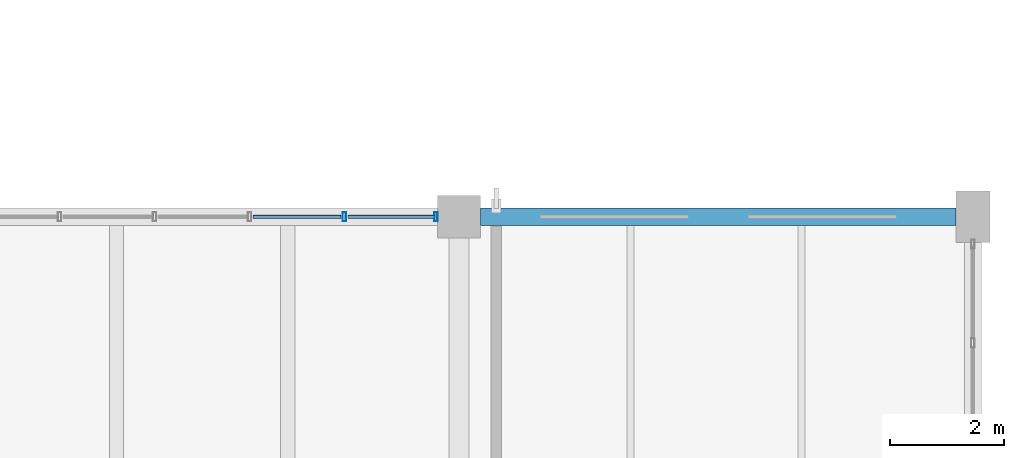
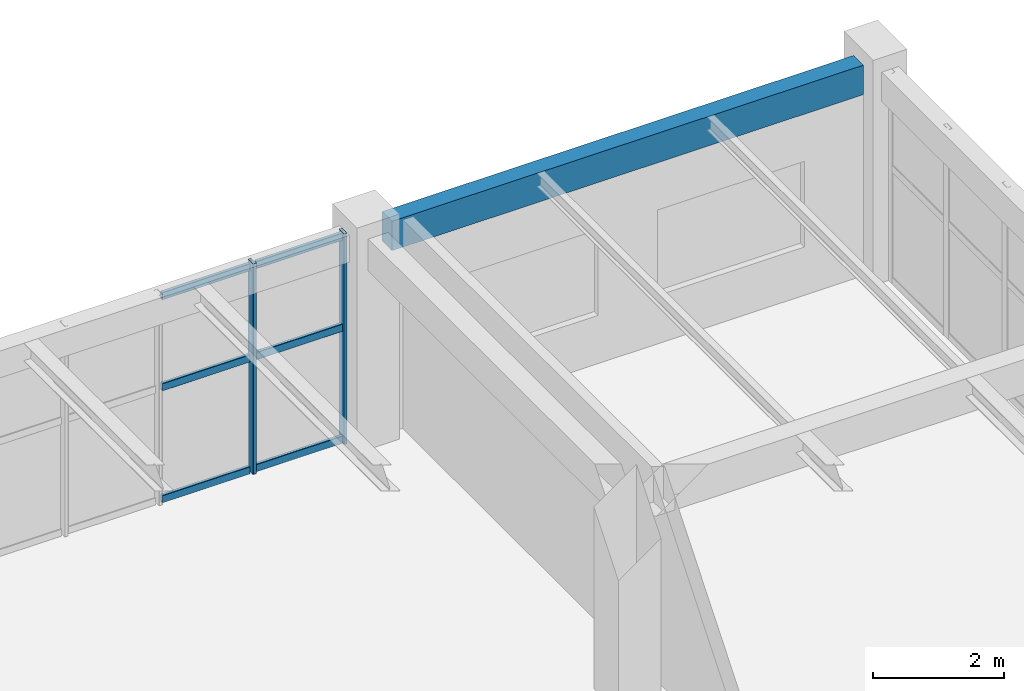
# One storey, part 99 of 128: 8 members, 1 beam, 1 element without a shape of its own.
"""IFC4 building model written with IfcOpenShell, lengths in metres."""

import ifcopenshell
import ifcopenshell.guid

model = None  # the IFC model being written
_history = None  # IfcOwnerHistory: only IFC2X3 demands one
_inside = {}  # id of a spatial element -> (the spatial element, [elements in it])
_under = {}  # id of a project, library or spatial element -> (it, [spatial elements below it])
_declared = {}  # id of a project -> (the project, [libraries it declares])
_typed = {}  # id of a type object -> (the type object, [elements of that type])
_made_of = {}  # id of a material, layer set ... -> (it, [elements and type objects made of it])


def new_model(schema):
    """Start an empty IFC model of exactly this schema.

    Asked for "IFC4X3", IfcOpenShell would pick the latest addendum, in which some entities
    have other attributes; the version numbers below select the first issue.
    IFC2X3 requires an IfcOwnerHistory on every rooted entity: one is made here for all.
    """
    global model, _history
    if schema == "IFC4X3":
        model = ifcopenshell.file(schema_version=(4, 3, 0, 0))
    else:
        model = ifcopenshell.file(schema=schema)
    _inside.clear()
    _under.clear()
    _declared.clear()
    _typed.clear()
    _made_of.clear()
    _history = None
    if model.schema == "IFC2X3":
        org = make("IfcOrganization", Name="unknown")
        user = make(
            "IfcPersonAndOrganization",
            ThePerson=make("IfcPerson", FamilyName="unknown"),
            TheOrganization=org,
        )
        app = make(
            "IfcApplication",
            ApplicationDeveloper=org,
            Version="unknown",
            ApplicationFullName="unknown",
            ApplicationIdentifier="unknown",
        )
        _history = make(
            "IfcOwnerHistory",
            OwningUser=user,
            OwningApplication=app,
            ChangeAction="ADDED",
            CreationDate=0,
        )
    return model


def make(cls, **values):
    """One entity of the class cls with the attributes given. An attribute that is None is left unset."""
    return model.create_entity(
        cls, **{name: value for name, value in values.items() if value is not None}
    )


def rooted(cls, **values):
    """An entity with a GlobalId (a new one), such as an element, a storey or a relation."""
    return make(cls, GlobalId=ifcopenshell.guid.new(), OwnerHistory=_history, **values)


def si_unit(unit_type, name, prefix=None):
    """IfcSIUnit, for example si_unit("LENGTHUNIT", "METRE", prefix="MILLI")."""
    return make("IfcSIUnit", UnitType=unit_type, Prefix=prefix, Name=name)


def derived_unit(unit_type, elements):
    """IfcDerivedUnit: a product of units, each with its exponent."""
    return make(
        "IfcDerivedUnit",
        Elements=[
            make("IfcDerivedUnitElement", Unit=unit, Exponent=power)
            for unit, power in elements
        ],
        UnitType=unit_type,
    )


def assignment(units):
    """IfcUnitAssignment: the units of a project."""
    return None if units is None else make("IfcUnitAssignment", Units=units)


def point(xyz):
    """IfcCartesianPoint."""
    return None if xyz is None else make("IfcCartesianPoint", Coordinates=xyz)


def direction(xyz):
    """IfcDirection."""
    return None if xyz is None else make("IfcDirection", DirectionRatios=xyz)


def frame(location, z_axis=None, x_axis=None):
    """IfcAxis2Placement3D, a coordinate frame: its origin and axes. An axis left out is left unset."""
    return make(
        "IfcAxis2Placement3D",
        Location=point(location),
        Axis=direction(z_axis),
        RefDirection=direction(x_axis),
    )


def frame_2d(location, x_axis=None):
    """IfcAxis2Placement2D, a coordinate frame in the plane: its origin and x axis."""
    return make(
        "IfcAxis2Placement2D", Location=point(location), RefDirection=direction(x_axis)
    )


def origin():
    """The frame at (0, 0, 0) with its axes left unset."""
    return frame((0.0, 0.0, 0.0))


def origin_2d():
    """The frame at (0, 0) in the plane with its x axis left unset."""
    return frame_2d((0.0, 0.0))


def place(relative_to, where):
    """IfcLocalPlacement: puts the frame where relative to a parent placement (None: the world)."""
    return make(
        "IfcLocalPlacement", PlacementRelTo=relative_to, RelativePlacement=where
    )


def context(
    kind, dimensions, precision=None, world=None, true_north=None, identifier=None
):
    """IfcGeometricRepresentationContext, for example the 3D "Model" context."""
    return make(
        "IfcGeometricRepresentationContext",
        ContextIdentifier=identifier,
        ContextType=kind,
        CoordinateSpaceDimension=dimensions,
        Precision=precision,
        WorldCoordinateSystem=world,
        TrueNorth=true_north,
    )


def subcontext(parent, identifier, kind, view, scale=None):
    """IfcGeometricRepresentationSubContext, for example "Body" below "Model"."""
    return make(
        "IfcGeometricRepresentationSubContext",
        ContextIdentifier=identifier,
        ContextType=kind,
        ParentContext=parent,
        TargetScale=scale,
        TargetView=view,
    )


def project(units=None, contexts=None):
    """IfcProject with its units and contexts."""
    return rooted(
        "IfcProject",
        Name="project",
        RepresentationContexts=contexts,
        UnitsInContext=assignment(units),
    )


def spatial(cls, under=None, at=None, **own):
    """A site, building, storey or space (cls), placed at a placement, below another one or the project."""
    s = rooted(cls, ObjectPlacement=at, **own)
    if under is not None:
        _under.setdefault(under.id(), (under, []))[1].append(s)
    return s


def profile(cls, at=None, kind="AREA", **sizes):
    """A parametric profile (cls). Its sizes go by their IFC names, for example OverallWidth=200.0."""
    return make(cls, ProfileType=kind, Position=at, **sizes)


def rectangle(**sizes):
    """IfcRectangleProfileDef."""
    return profile("IfcRectangleProfileDef", **sizes)


def hollow_rectangle(**sizes):
    """IfcRectangleHollowProfileDef."""
    return profile("IfcRectangleHollowProfileDef", **sizes)


def extrude(swept, where, along, depth):
    """IfcExtrudedAreaSolid: the profile swept, set in the frame where, extruded along a direction by depth."""
    return make(
        "IfcExtrudedAreaSolid",
        SweptArea=swept,
        Position=where,
        ExtrudedDirection=direction(along),
        Depth=depth,
    )


def shape(context_of_items, identifier, shape_type, items):
    """IfcShapeRepresentation: the items that make up one representation, for example the "Body"."""
    return make(
        "IfcShapeRepresentation",
        ContextOfItems=context_of_items,
        RepresentationIdentifier=identifier,
        RepresentationType=shape_type,
        Items=items,
    )


def material(Name=None, Category=None):
    """IfcMaterial."""
    return make("IfcMaterial", Name=Name, Category=Category)


def material_profile(
    of_material, cross_section, Name=None, Category=None, Priority=None
):
    """IfcMaterialProfile: a cross section and its material."""
    return make(
        "IfcMaterialProfile",
        Name=Name,
        Material=of_material,
        Profile=cross_section,
        Priority=Priority,
        Category=Category,
    )


def profile_set(profiles, Name=None, composite=None):
    """IfcMaterialProfileSet."""
    return make(
        "IfcMaterialProfileSet",
        Name=Name,
        MaterialProfiles=profiles,
        CompositeProfile=composite,
    )


def made_of(thing, what):
    """Note that an element or type object is made of a material, layer set ...; save() writes the relation."""
    if what is not None:
        _made_of.setdefault(what.id(), (what, []))[1].append(thing)
    return thing


def type_object(cls, material=None, **own):
    """A type object (cls), such as IfcWallType, which elements share."""
    return made_of(rooted(cls, **own), material)


def element(
    cls,
    number,
    at=None,
    inside=None,
    cuts=None,
    type_object=None,
    material=None,
    context=None,
    identifier="Body",
    shape_type=None,
    held_by="IfcProductDefinitionShape",
    body=None,
    shapes=None,
    **own,
):
    """One element of the class cls, such as IfcWall. Its Tag is "e" and its number.

    at: its placement. inside: the storey or other place that contains it. cuts: it is an
    opening in that element (IfcRelVoidsElement). A single representation is given by context,
    identifier, shape_type and body (its items); several are given by shapes. held_by: the class
    of the entity that holds the representations. save() writes the other relations.
    """
    e = rooted(cls, Tag="e%d" % number, ObjectPlacement=at, **own)
    if body is not None:
        shapes = [shape(context, identifier, shape_type, body)]
    if shapes is not None:
        e.Representation = make(held_by, Representations=shapes)
    if inside is not None:
        _inside.setdefault(inside.id(), (inside, []))[1].append(e)
    if cuts is not None:
        rooted(
            "IfcRelVoidsElement", RelatingBuildingElement=cuts, RelatedOpeningElement=e
        )
    if type_object is not None:
        _typed.setdefault(type_object.id(), (type_object, []))[1].append(e)
    return made_of(e, material)


def aggregate(whole, parts):
    """IfcRelAggregates: a whole, such as a stair, and the parts it consists of."""
    return rooted("IfcRelAggregates", RelatingObject=whole, RelatedObjects=parts)


def save(model, path):
    """Write the relations noted so far, then the file.

    IfcRelAggregates (storeys below a building ...), IfcRelContainedInSpatialStructure (elements
    in a storey), IfcRelDefinesByType, IfcRelAssociatesMaterial and IfcRelDeclares: one each for
    every whole, place, type object, material and project.
    """
    for whole, parts in _under.values():
        aggregate(whole, parts)
    for where, things in _inside.values():
        rooted(
            "IfcRelContainedInSpatialStructure",
            RelatedElements=things,
            RelatingStructure=where,
        )
    for kind, things in _typed.values():
        rooted("IfcRelDefinesByType", RelatedObjects=things, RelatingType=kind)
    for what, things in _made_of.values():
        rooted("IfcRelAssociatesMaterial", RelatedObjects=things, RelatingMaterial=what)
    for by, libraries in _declared.values():
        rooted("IfcRelDeclares", RelatingContext=by, RelatedDefinitions=libraries)
    model.write(path)


model = new_model("IFC4")

# Units and contexts
model_context = context("Model", 3, precision=1e-05, world=origin(), true_north=direction((0.0, 1.0)))
body_context = subcontext(model_context, "Body", "Model", "MODEL_VIEW")
ifc_project = project(units=[si_unit("LENGTHUNIT", "METRE"), si_unit("AREAUNIT", "SQUARE_METRE"), si_unit("VOLUMEUNIT", "CUBIC_METRE"), si_unit("PLANEANGLEUNIT", "RADIAN"), si_unit("MASSUNIT", "GRAM", prefix="KILO"), derived_unit("THERMALTRANSMITTANCEUNIT", [(si_unit("MASSUNIT", "GRAM", prefix="KILO"), 1), (si_unit("TIMEUNIT", "SECOND"), -3), (si_unit("THERMODYNAMICTEMPERATUREUNIT", "KELVIN"), -1)])], contexts=[model_context])

# Site, building, storey
site_placement = place(None, origin())
site = spatial("IfcSite", under=ifc_project, at=site_placement, CompositionType="ELEMENT")
building_placement = place(site_placement, origin())
building = spatial("IfcBuilding", under=site, at=building_placement, Name="Zhenchuan Archway Interchange", CompositionType="ELEMENT")
storey_placement = place(building_placement, frame((0.0, 0.0, 14.39990234375)))
storey = spatial("IfcBuildingStorey", under=building, at=storey_placement, Name="L03", CompositionType="ELEMENT", Elevation=14.39990234375)

# Curtain wall, members
ifc_material_1 = material(Name="Anodised Aluminium", Category="aluminium")
curtain_wall_type = type_object("IfcCurtainWallType", Name="CW_UNIT_2", PredefinedType="NOTDEFINED", material=ifc_material_1)
curtain_wall_placement = place(storey_placement, origin())
curtain_wall = element("IfcCurtainWall", 1, at=curtain_wall_placement, inside=storey, type_object=curtain_wall_type, Name="Unitised curtain wall CW:L03:177", PredefinedType="NOTDEFINED")
ifc_material_profile_1 = material_profile(ifc_material_1, hollow_rectangle(XDim=0.06005859375, YDim=0.159912109375, WallThickness=0.00390625, InnerFilletRadius=0.00390625, OuterFilletRadius=0.008056640625, at=origin_2d()), Name="ALU 160x60x4")
ifc_profile_set_1 = profile_set([ifc_material_profile_1], Name="Anodised Aluminium")
member_type_1 = type_object("IfcMemberType", Name="CW_MUL_150", PredefinedType="MULLION", material=ifc_profile_set_1)
member_1_placement = place(storey_placement, frame((159.994140625, 104.0, 0.0), z_axis=(0.0, 0.0, 1.0), x_axis=(1.0, 0.0, 0.0)))
member_1 = element("IfcMember", 2, at=member_1_placement, type_object=member_type_1, Name="CW:L03:177 mullion 4", PredefinedType="MULLION", context=body_context, shape_type="SweptSolid", body=[
    extrude(hollow_rectangle(XDim=0.06005859375, YDim=0.159912109375, WallThickness=0.00390625, InnerFilletRadius=0.00390625, OuterFilletRadius=0.008056640625, at=origin_2d()), origin(), (0.0, 0.0, 1.0), 3.93017578125),
])
member_2_placement = place(storey_placement, frame((161.596923828125, 104.0, 0.0), z_axis=(0.0, 0.0, 1.0), x_axis=(1.0, 0.0, 0.0)))
member_2 = element("IfcMember", 3, at=member_2_placement, type_object=member_type_1, Name="CW:L03:177 mullion 5", PredefinedType="MULLION", context=body_context, shape_type="SweptSolid", body=[
    extrude(hollow_rectangle(XDim=0.06005859375, YDim=0.159912109375, WallThickness=0.00390625, InnerFilletRadius=0.00390625, OuterFilletRadius=0.008056640625, at=origin_2d()), origin(), (0.0, 0.0, 1.0), 3.93017578125),
])
ifc_material_profile_2 = material_profile(ifc_material_1, hollow_rectangle(XDim=0.06005859375, YDim=0.139892578125, WallThickness=0.00341796875, InnerFilletRadius=0.00341796875, OuterFilletRadius=0.007080078125, at=origin_2d()), Name="ALU 140x60x3.5")
ifc_profile_set_2 = profile_set([ifc_material_profile_2], Name="Anodised Aluminium")
member_type_2 = type_object("IfcMemberType", Name="CW_TRN_140", PredefinedType="USERDEFINED", material=ifc_profile_set_2)
member_3_placement = place(storey_placement, frame((158.391357421875, 104.0, 0.06005859375), z_axis=(1.0, 0.0, 0.0), x_axis=(0.0, 1.0, 0.0)))
member_3 = element("IfcMember", 4, at=member_3_placement, type_object=member_type_2, Name="CW:L03:177 transom 3-1", ObjectType="TRANSOM", PredefinedType="USERDEFINED", context=body_context, shape_type="SweptSolid", body=[
    extrude(hollow_rectangle(XDim=0.06005859375, YDim=0.139892578125, WallThickness=0.00341796875, InnerFilletRadius=0.00341796875, OuterFilletRadius=0.007080078125, at=origin_2d()), origin(), (0.0, 0.0, 1.0), 1.542724609375),
])
member_4_placement = place(storey_placement, frame((158.391357421875, 104.0, 2.150634765625), z_axis=(1.0, 0.0, 0.0), x_axis=(0.0, 1.0, 0.0)))
member_4 = element("IfcMember", 5, at=member_4_placement, type_object=member_type_2, Name="CW:L03:177 transom 3-2", ObjectType="TRANSOM", PredefinedType="USERDEFINED", context=body_context, shape_type="SweptSolid", body=[
    extrude(hollow_rectangle(XDim=0.06005859375, YDim=0.139892578125, WallThickness=0.00341796875, InnerFilletRadius=0.00341796875, OuterFilletRadius=0.007080078125, at=origin_2d()), origin(), (0.0, 0.0, 1.0), 1.542724609375),
])
member_5_placement = place(storey_placement, frame((158.391357421875, 104.0, 3.85009765625), z_axis=(1.0, 0.0, 0.0), x_axis=(0.0, 1.0, 0.0)))
member_5 = element("IfcMember", 6, at=member_5_placement, type_object=member_type_2, Name="CW:L03:177 transom 3-3", ObjectType="TRANSOM", PredefinedType="USERDEFINED", context=body_context, shape_type="SweptSolid", body=[
    extrude(hollow_rectangle(XDim=0.06005859375, YDim=0.139892578125, WallThickness=0.00341796875, InnerFilletRadius=0.00341796875, OuterFilletRadius=0.007080078125, at=origin_2d()), origin(), (0.0, 0.0, 1.0), 1.542724609375),
])
member_6_placement = place(storey_placement, frame((160.05419921875, 104.0, 0.06005859375), z_axis=(1.0, 0.0, 0.0), x_axis=(0.0, 1.0, 0.0)))
member_6 = element("IfcMember", 7, at=member_6_placement, type_object=member_type_2, Name="CW:L03:177 transom 4-1", ObjectType="TRANSOM", PredefinedType="USERDEFINED", context=body_context, shape_type="SweptSolid", body=[
    extrude(hollow_rectangle(XDim=0.06005859375, YDim=0.139892578125, WallThickness=0.00341796875, InnerFilletRadius=0.00341796875, OuterFilletRadius=0.007080078125, at=origin_2d()), origin(), (0.0, 0.0, 1.0), 1.522705078125),
])
member_7_placement = place(storey_placement, frame((160.05419921875, 104.0, 2.150634765625), z_axis=(1.0, 0.0, 0.0), x_axis=(0.0, 1.0, 0.0)))
member_7 = element("IfcMember", 8, at=member_7_placement, type_object=member_type_2, Name="CW:L03:177 transom 4-2", ObjectType="TRANSOM", PredefinedType="USERDEFINED", context=body_context, shape_type="SweptSolid", body=[
    extrude(hollow_rectangle(XDim=0.06005859375, YDim=0.139892578125, WallThickness=0.00341796875, InnerFilletRadius=0.00341796875, OuterFilletRadius=0.007080078125, at=origin_2d()), origin(), (0.0, 0.0, 1.0), 1.522705078125),
])
member_8_placement = place(storey_placement, frame((160.05419921875, 104.0, 3.85009765625), z_axis=(1.0, 0.0, 0.0), x_axis=(0.0, 1.0, 0.0)))
member_8 = element("IfcMember", 9, at=member_8_placement, type_object=member_type_2, Name="CW:L03:177 transom 4-3", ObjectType="TRANSOM", PredefinedType="USERDEFINED", context=body_context, shape_type="SweptSolid", body=[
    extrude(hollow_rectangle(XDim=0.06005859375, YDim=0.139892578125, WallThickness=0.00341796875, InnerFilletRadius=0.00341796875, OuterFilletRadius=0.007080078125, at=origin_2d()), origin(), (0.0, 0.0, 1.0), 1.522705078125),
])
aggregate(curtain_wall, [member_1, member_2, member_3, member_4, member_5, member_6, member_7, member_8])

# Beam
ifc_material_2 = material(Name="Concrete C40", Category="concrete")
ifc_material_profile_3 = material_profile(ifc_material_2, rectangle(XDim=0.300048828125, YDim=0.550048828125, at=origin_2d()), Name="RC 300x550")
ifc_profile_set_3 = profile_set([ifc_material_profile_3], Name="Concrete C40")
beam_type = type_object("IfcBeamType", Name="SP_RC_300x550", PredefinedType="SPANDREL", material=ifc_profile_set_3)
beam_placement = place(storey_placement, frame((162.375, 104.0, 3.655029296875), z_axis=(1.0, 0.0, 0.0), x_axis=(0.0, 1.0, 0.0)))
element("IfcBeam", 10, at=beam_placement, inside=storey, type_object=beam_type, Name="Beam O:19-20 (L03)", PredefinedType="SPANDREL", context=body_context, shape_type="SweptSolid", body=[
    extrude(rectangle(XDim=0.300048828125, YDim=0.550048828125, at=origin_2d()), origin(), (0.0, 0.0, 1.0), 8.324951171875),
])

save(model, "model.ifc")
